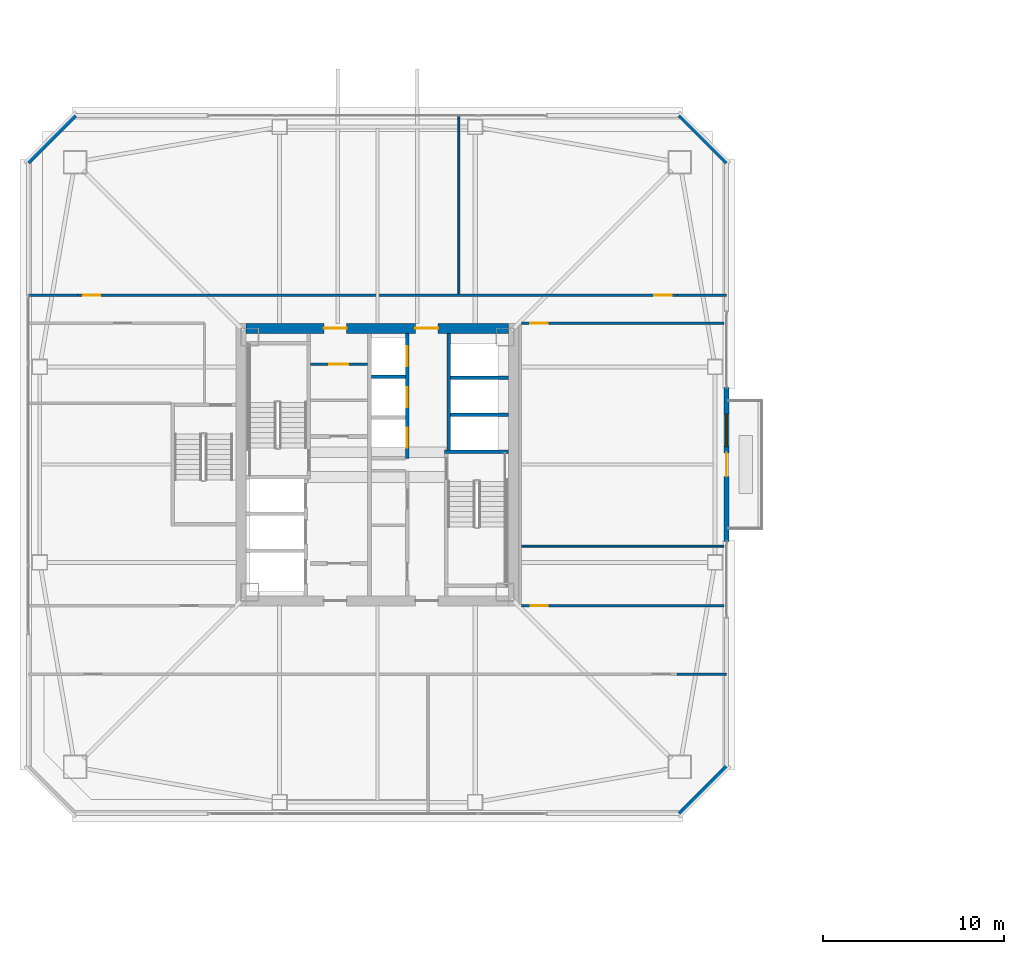
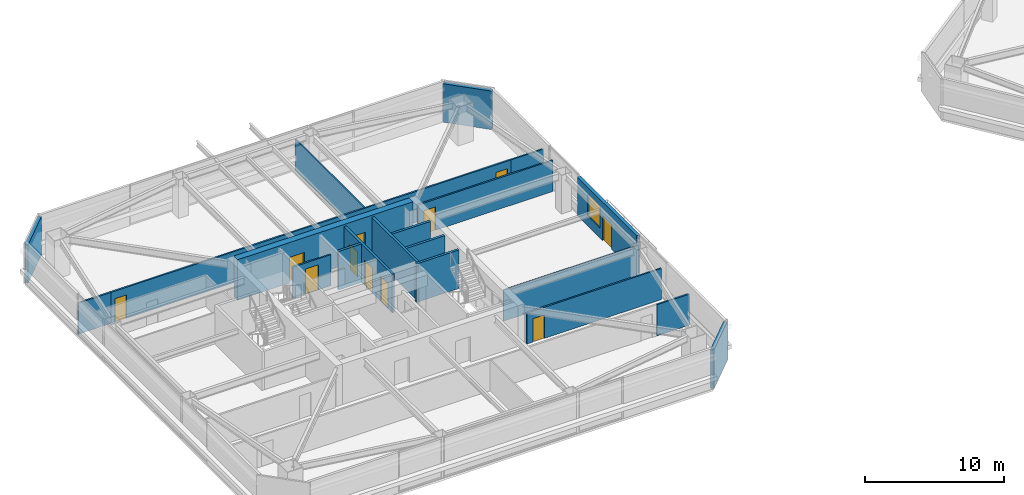
# One storey, part 31 of 40: 20 walls, 11 doors, 1 window, 12 openings.
"""IFC4 building model written with IfcOpenShell, lengths in metres."""

import ifcopenshell
import ifcopenshell.guid

model = None  # the IFC model being written
_history = None  # IfcOwnerHistory: only IFC2X3 demands one
_inside = {}  # id of a spatial element -> (the spatial element, [elements in it])
_under = {}  # id of a project, library or spatial element -> (it, [spatial elements below it])
_declared = {}  # id of a project -> (the project, [libraries it declares])
_typed = {}  # id of a type object -> (the type object, [elements of that type])
_made_of = {}  # id of a material, layer set ... -> (it, [elements and type objects made of it])


def new_model(schema):
    """Start an empty IFC model of exactly this schema.

    Asked for "IFC4X3", IfcOpenShell would pick the latest addendum, in which some entities
    have other attributes; the version numbers below select the first issue.
    IFC2X3 requires an IfcOwnerHistory on every rooted entity: one is made here for all.
    """
    global model, _history
    if schema == "IFC4X3":
        model = ifcopenshell.file(schema_version=(4, 3, 0, 0))
    else:
        model = ifcopenshell.file(schema=schema)
    _inside.clear()
    _under.clear()
    _declared.clear()
    _typed.clear()
    _made_of.clear()
    _history = None
    if model.schema == "IFC2X3":
        org = make("IfcOrganization", Name="unknown")
        user = make(
            "IfcPersonAndOrganization",
            ThePerson=make("IfcPerson", FamilyName="unknown"),
            TheOrganization=org,
        )
        app = make(
            "IfcApplication",
            ApplicationDeveloper=org,
            Version="unknown",
            ApplicationFullName="unknown",
            ApplicationIdentifier="unknown",
        )
        _history = make(
            "IfcOwnerHistory",
            OwningUser=user,
            OwningApplication=app,
            ChangeAction="ADDED",
            CreationDate=0,
        )
    return model


def make(cls, **values):
    """One entity of the class cls with the attributes given. An attribute that is None is left unset."""
    return model.create_entity(
        cls, **{name: value for name, value in values.items() if value is not None}
    )


def rooted(cls, **values):
    """An entity with a GlobalId (a new one), such as an element, a storey or a relation."""
    return make(cls, GlobalId=ifcopenshell.guid.new(), OwnerHistory=_history, **values)


def si_unit(unit_type, name, prefix=None):
    """IfcSIUnit, for example si_unit("LENGTHUNIT", "METRE", prefix="MILLI")."""
    return make("IfcSIUnit", UnitType=unit_type, Prefix=prefix, Name=name)


def assignment(units):
    """IfcUnitAssignment: the units of a project."""
    return None if units is None else make("IfcUnitAssignment", Units=units)


def point(xyz):
    """IfcCartesianPoint."""
    return None if xyz is None else make("IfcCartesianPoint", Coordinates=xyz)


def direction(xyz):
    """IfcDirection."""
    return None if xyz is None else make("IfcDirection", DirectionRatios=xyz)


def frame(location, z_axis=None, x_axis=None):
    """IfcAxis2Placement3D, a coordinate frame: its origin and axes. An axis left out is left unset."""
    return make(
        "IfcAxis2Placement3D",
        Location=point(location),
        Axis=direction(z_axis),
        RefDirection=direction(x_axis),
    )


def frame_2d(location, x_axis=None):
    """IfcAxis2Placement2D, a coordinate frame in the plane: its origin and x axis."""
    return make(
        "IfcAxis2Placement2D", Location=point(location), RefDirection=direction(x_axis)
    )


def origin():
    """The frame at (0, 0, 0) with its axes left unset."""
    return frame((0.0, 0.0, 0.0))


def place(relative_to, where):
    """IfcLocalPlacement: puts the frame where relative to a parent placement (None: the world)."""
    return make(
        "IfcLocalPlacement", PlacementRelTo=relative_to, RelativePlacement=where
    )


def context(
    kind, dimensions, precision=None, world=None, true_north=None, identifier=None
):
    """IfcGeometricRepresentationContext, for example the 3D "Model" context."""
    return make(
        "IfcGeometricRepresentationContext",
        ContextIdentifier=identifier,
        ContextType=kind,
        CoordinateSpaceDimension=dimensions,
        Precision=precision,
        WorldCoordinateSystem=world,
        TrueNorth=true_north,
    )


def subcontext(parent, identifier, kind, view, scale=None):
    """IfcGeometricRepresentationSubContext, for example "Body" below "Model"."""
    return make(
        "IfcGeometricRepresentationSubContext",
        ContextIdentifier=identifier,
        ContextType=kind,
        ParentContext=parent,
        TargetScale=scale,
        TargetView=view,
    )


def project(units=None, contexts=None):
    """IfcProject with its units and contexts."""
    return rooted(
        "IfcProject",
        Name="project",
        RepresentationContexts=contexts,
        UnitsInContext=assignment(units),
    )


def spatial(cls, under=None, at=None, **own):
    """A site, building, storey or space (cls), placed at a placement, below another one or the project."""
    s = rooted(cls, ObjectPlacement=at, **own)
    if under is not None:
        _under.setdefault(under.id(), (under, []))[1].append(s)
    return s


def profile(cls, at=None, kind="AREA", **sizes):
    """A parametric profile (cls). Its sizes go by their IFC names, for example OverallWidth=200.0."""
    return make(cls, ProfileType=kind, Position=at, **sizes)


def rectangle(**sizes):
    """IfcRectangleProfileDef."""
    return profile("IfcRectangleProfileDef", **sizes)


def extrude(swept, where, along, depth):
    """IfcExtrudedAreaSolid: the profile swept, set in the frame where, extruded along a direction by depth."""
    return make(
        "IfcExtrudedAreaSolid",
        SweptArea=swept,
        Position=where,
        ExtrudedDirection=direction(along),
        Depth=depth,
    )


def shape(context_of_items, identifier, shape_type, items):
    """IfcShapeRepresentation: the items that make up one representation, for example the "Body"."""
    return make(
        "IfcShapeRepresentation",
        ContextOfItems=context_of_items,
        RepresentationIdentifier=identifier,
        RepresentationType=shape_type,
        Items=items,
    )


def material(Name=None, Category=None):
    """IfcMaterial."""
    return make("IfcMaterial", Name=Name, Category=Category)


def layer(
    of_material, thickness, ventilated=None, Name=None, Category=None, Priority=None
):
    """IfcMaterialLayer: one layer of a wall or slab, of a material (None: an air gap)."""
    return make(
        "IfcMaterialLayer",
        Material=of_material,
        LayerThickness=thickness,
        IsVentilated=ventilated,
        Name=Name,
        Category=Category,
        Priority=Priority,
    )


def layer_set(layers, Name=None):
    """IfcMaterialLayerSet."""
    return make("IfcMaterialLayerSet", MaterialLayers=layers, LayerSetName=Name)


def made_of(thing, what):
    """Note that an element or type object is made of a material, layer set ...; save() writes the relation."""
    if what is not None:
        _made_of.setdefault(what.id(), (what, []))[1].append(thing)
    return thing


def type_object(cls, material=None, **own):
    """A type object (cls), such as IfcWallType, which elements share."""
    return made_of(rooted(cls, **own), material)


def element(
    cls,
    number,
    at=None,
    inside=None,
    cuts=None,
    type_object=None,
    material=None,
    context=None,
    identifier="Body",
    shape_type=None,
    held_by="IfcProductDefinitionShape",
    body=None,
    shapes=None,
    **own,
):
    """One element of the class cls, such as IfcWall. Its Tag is "e" and its number.

    at: its placement. inside: the storey or other place that contains it. cuts: it is an
    opening in that element (IfcRelVoidsElement). A single representation is given by context,
    identifier, shape_type and body (its items); several are given by shapes. held_by: the class
    of the entity that holds the representations. save() writes the other relations.
    """
    e = rooted(cls, Tag="e%d" % number, ObjectPlacement=at, **own)
    if body is not None:
        shapes = [shape(context, identifier, shape_type, body)]
    if shapes is not None:
        e.Representation = make(held_by, Representations=shapes)
    if inside is not None:
        _inside.setdefault(inside.id(), (inside, []))[1].append(e)
    if cuts is not None:
        rooted(
            "IfcRelVoidsElement", RelatingBuildingElement=cuts, RelatedOpeningElement=e
        )
    if type_object is not None:
        _typed.setdefault(type_object.id(), (type_object, []))[1].append(e)
    return made_of(e, material)


def fill(opening, filler):
    """IfcRelFillsElement: the door or window that sits in an opening."""
    return rooted(
        "IfcRelFillsElement",
        RelatingOpeningElement=opening,
        RelatedBuildingElement=filler,
    )


def aggregate(whole, parts):
    """IfcRelAggregates: a whole, such as a stair, and the parts it consists of."""
    return rooted("IfcRelAggregates", RelatingObject=whole, RelatedObjects=parts)


def save(model, path):
    """Write the relations noted so far, then the file.

    IfcRelAggregates (storeys below a building ...), IfcRelContainedInSpatialStructure (elements
    in a storey), IfcRelDefinesByType, IfcRelAssociatesMaterial and IfcRelDeclares: one each for
    every whole, place, type object, material and project.
    """
    for whole, parts in _under.values():
        aggregate(whole, parts)
    for where, things in _inside.values():
        rooted(
            "IfcRelContainedInSpatialStructure",
            RelatedElements=things,
            RelatingStructure=where,
        )
    for kind, things in _typed.values():
        rooted("IfcRelDefinesByType", RelatedObjects=things, RelatingType=kind)
    for what, things in _made_of.values():
        rooted("IfcRelAssociatesMaterial", RelatedObjects=things, RelatingMaterial=what)
    for by, libraries in _declared.values():
        rooted("IfcRelDeclares", RelatingContext=by, RelatedDefinitions=libraries)
    model.write(path)


model = new_model("IFC4")

# Units and contexts
model_context = context("Model", 3, precision=1e-05, world=origin(), true_north=direction((0.0, 1.0)))
body_context = subcontext(model_context, "Body", "Model", "MODEL_VIEW")
ifc_project = project(units=[si_unit("LENGTHUNIT", "METRE"), si_unit("AREAUNIT", "SQUARE_METRE"), si_unit("VOLUMEUNIT", "CUBIC_METRE"), si_unit("PLANEANGLEUNIT", "RADIAN"), si_unit("MASSUNIT", "GRAM", prefix="KILO")], contexts=[model_context])

# Site, building, storey
site_placement = place(None, origin())
site = spatial("IfcSite", under=ifc_project, at=site_placement, CompositionType="ELEMENT")
building_placement = place(site_placement, origin())
building = spatial("IfcBuilding", under=site, at=building_placement, Name="Tashvorn Skyway Center", CompositionType="ELEMENT")
storey_placement = place(building_placement, frame((0.0, 0.0, 142.800048828125)))
storey = spatial("IfcBuildingStorey", under=building, at=storey_placement, Name="L38", CompositionType="ELEMENT", Elevation=142.800048828125)

# Wall, openings, doors
ifc_material_1 = material(Name="Concrete C60/75", Category="concrete")
ifc_layer_1 = layer(ifc_material_1, 0.550048828125)
ifc_layer_set_1 = layer_set([ifc_layer_1], Name="Concrete C60/75")
wall_type_1 = type_object("IfcWallType", Name="WALL-CORE-550", PredefinedType="SHEAR", material=ifc_layer_set_1)
wall_1_placement = place(storey_placement, frame((34.75, 39.52490234375, 0.0), z_axis=(0.0, 0.0, 1.0), x_axis=(1.0, 0.0, 0.0)))
wall_1 = element("IfcWall", 1, at=wall_1_placement, inside=storey, type_object=wall_type_1, Name="Tower 1 L38 North Core Shear Wall", PredefinedType="SHEAR", context=body_context, shape_type="SweptSolid", body=[
    extrude(rectangle(XDim=14.5, YDim=0.550048828125, at=frame_2d((7.25, 0.0))), origin(), (0.0, 0.0, 1.0), 3.550048828125),
])
opening_1_placement = place(wall_1_placement, frame((4.300048828125, 0.0, 0.0)))
opening_1 = element("IfcOpeningElement", 2, at=opening_1_placement, cuts=wall_1, Name="Opening D-FFL-1250", PredefinedType="OPENING", context=body_context, shape_type="SweptSolid", body=[
    extrude(rectangle(XDim=1.25, YDim=2.25, at=frame_2d((0.625, 1.125))), frame((0.0, 0.284912109375, 0.0), z_axis=(0.0, -1.0, 0.0), x_axis=(1.0, 0.0, 0.0)), (0.0, 0.0, 1.0), 0.570068359375),
])
opening_2_placement = place(wall_1_placement, frame((9.35009765625, 0.0, 0.0)))
opening_2 = element("IfcOpeningElement", 3, at=opening_2_placement, cuts=wall_1, Name="Opening D-FFL-1250", PredefinedType="OPENING", context=body_context, shape_type="SweptSolid", body=[
    extrude(rectangle(XDim=1.25, YDim=2.25, at=frame_2d((0.625, 1.125))), frame((0.0, 0.284912109375, 0.0), z_axis=(0.0, -1.0, 0.0), x_axis=(1.0, 0.0, 0.0)), (0.0, 0.0, 1.0), 0.570068359375),
])
ifc_material_2 = material(Name="Hollow galvanized steel fire door assembly", Category="steel")
door_type_1 = type_object("IfcDoorType", Name="DOOR-FFL-1250", OperationType="NOTDEFINED", PredefinedType="DOOR", material=ifc_material_2)
door_1_placement = place(opening_1_placement, origin())
door_1 = element("IfcDoor", 4, at=door_1_placement, inside=storey, type_object=door_type_1, Name="Tower 1 L38 Core North Service Lobby Door", OperationType="SINGLE_SWING_LEFT", OverallHeight=2.25, OverallWidth=1.25, PredefinedType="DOOR", context=body_context, shape_type="SweptSolid", body=[
    extrude(rectangle(XDim=1.25, YDim=2.25, at=frame_2d((0.625, 1.125))), frame((0.0, 0.02490234375, 0.0), z_axis=(0.0, -1.0, 0.0), x_axis=(1.0, 0.0, 0.0)), (0.0, 0.0, 1.0), 0.050048828125),
])
fill(opening_1, door_1)
door_2_placement = place(opening_2_placement, origin())
door_2 = element("IfcDoor", 5, at=door_2_placement, inside=storey, type_object=door_type_1, Name="Tower 1 L38 Core North Lift Lobby Door", OperationType="SINGLE_SWING_RIGHT", OverallHeight=2.25, OverallWidth=1.25, PredefinedType="DOOR", context=body_context, shape_type="SweptSolid", body=[
    extrude(rectangle(XDim=1.25, YDim=2.25, at=frame_2d((0.625, 1.125))), frame((0.0, 0.02490234375, 0.0), z_axis=(0.0, -1.0, 0.0), x_axis=(1.0, 0.0, 0.0)), (0.0, 0.0, 1.0), 0.050048828125),
])
fill(opening_2, door_2)

# Wall, openings, door, window
ifc_material_3 = material(Name="Precast concrete C40/50", Category="concrete")
ifc_layer_2 = layer(ifc_material_3, 0.280029296875)
ifc_layer_set_2 = layer_set([ifc_layer_2], Name="Precast concrete C40/50")
wall_type_2 = type_object("IfcWallType", Name="WALL-EXT-280", PredefinedType="SOLIDWALL", material=ifc_layer_set_2)
wall_2_placement = place(storey_placement, frame((61.280029296875, 36.25, 0.0), z_axis=(0.0, 0.0, 1.0), x_axis=(0.0, -1.0, 0.0)))
wall_2 = element("IfcWall", 6, at=wall_2_placement, inside=storey, type_object=wall_type_2, Name="Tower 1 L38 East Terrace Portal Wall", PredefinedType="SOLIDWALL", context=body_context, shape_type="SweptSolid", body=[
    extrude(rectangle(XDim=8.5, YDim=0.280029296875, at=frame_2d((4.25, 0.0))), origin(), (0.0, 0.0, 1.0), 3.369873046875),
])
opening_3_placement = place(wall_2_placement, frame((3.60009765625, 0.0, 0.0)))
opening_3 = element("IfcOpeningElement", 7, at=opening_3_placement, cuts=wall_2, Name="Opening D-TER-1300", PredefinedType="OPENING", context=body_context, shape_type="SweptSolid", body=[
    extrude(rectangle(XDim=1.300048828125, YDim=2.14990234375, at=frame_2d((0.64990234375, 1.074951171875))), frame((0.0, 0.14990234375, 0.0), z_axis=(0.0, -1.0, 0.0), x_axis=(1.0, 0.0, 0.0)), (0.0, 0.0, 1.0), 0.300048828125),
])
opening_4_placement = place(wall_2_placement, frame((1.4599609375, 0.0, 0.85009765625)))
opening_4 = element("IfcOpeningElement", 8, at=opening_4_placement, cuts=wall_2, Name="Opening WIN-1800", PredefinedType="OPENING", context=body_context, shape_type="SweptSolid", body=[
    extrude(rectangle(XDim=1.800048828125, YDim=1.919921875, at=frame_2d((0.89990234375, 0.9599609375))), frame((0.0, 0.14990234375, 0.0), z_axis=(0.0, -1.0, 0.0), x_axis=(1.0, 0.0, 0.0)), (0.0, 0.0, 1.0), 0.300048828125),
])
ifc_material_4 = material(Name="Thermally broken bronze-anodized aluminium 6063-T6", Category="aluminium")
door_type_2 = type_object("IfcDoorType", Name="DOOR-TERR-1300", OperationType="NOTDEFINED", PredefinedType="DOOR", material=ifc_material_4)
door_3_placement = place(opening_3_placement, origin())
door_3 = element("IfcDoor", 9, at=door_3_placement, inside=storey, type_object=door_type_2, Name="Tower 1 L38 Terrace Access Door", OperationType="SINGLE_SWING_RIGHT", OverallHeight=2.14990234375, OverallWidth=1.300048828125, PredefinedType="DOOR", context=body_context, shape_type="SweptSolid", body=[
    extrude(rectangle(XDim=1.300048828125, YDim=2.14990234375, at=frame_2d((0.64990234375, 1.074951171875))), frame((0.0, 0.02490234375, 0.0), z_axis=(0.0, -1.0, 0.0), x_axis=(1.0, 0.0, 0.0)), (0.0, 0.0, 1.0), 0.050048828125),
])
fill(opening_3, door_3)
ifc_material_5 = material(Name="Low-E solar-control double insulating safety glass", Category="glass")
window_type = type_object("IfcWindowType", Name="WIN-TERR-1800", PartitioningType="SINGLE_PANEL", PredefinedType="WINDOW", material=ifc_material_5)
window_placement = place(opening_4_placement, origin())
window = element("IfcWindow", 10, at=window_placement, inside=storey, type_object=window_type, Name="Tower 1 L38 Terrace Window", OverallHeight=1.919921875, OverallWidth=1.800048828125, PartitioningType="SINGLE_PANEL", PredefinedType="WINDOW", context=body_context, shape_type="SweptSolid", body=[
    extrude(rectangle(XDim=1.800048828125, YDim=1.919921875, at=frame_2d((0.89990234375, 0.9599609375))), frame((0.0, 0.030029296875, 0.0), z_axis=(0.0, -1.0, 0.0), x_axis=(1.0, 0.0, 0.0)), (0.0, 0.0, 1.0), 0.06005859375),
])
fill(opening_4, window)

# Walls
for number, where, z_axis, x_axis, name in (
    (11, (22.699951171875, 48.699951171875, 0.0), (0.0, 0.0, 1.0), (0.707106781187, 0.707106781187, 0.0), "Tower 1 L38 NW Precast Chamfer Wall"),
    (12, (58.699951171875, 51.300048828125, 0.0), (0.0, 0.0, 1.0), (0.707106781187, -0.707106781187, 0.0), "Tower 1 L38 NE Precast Chamfer Wall"),
    (13, (61.300048828125, 15.300048828125, 0.0), (0.0, 0.0, 1.0), (-0.707106781187, -0.707106781187, 0.0), "Tower 1 L38 SE Precast Chamfer Wall"),
):
    element("IfcWall", number, at=place(storey_placement, frame(where, z_axis=z_axis, x_axis=x_axis)), inside=storey, type_object=wall_type_2, Name=name, PredefinedType="SOLIDWALL", context=body_context, shape_type="SweptSolid", body=[
        extrude(rectangle(XDim=3.677001953125, YDim=0.280029296875, at=frame_2d((1.83837890625, 0.0))), origin(), (0.0, 0.0, 1.0), 3.369873046875),
    ])
ifc_material_6 = material(Name="Gypsum board on cold-formed steel stud framing", Category="steel")
ifc_layer_3 = layer(ifc_material_6, 0.110107421875)
ifc_layer_set_3 = layer_set([ifc_layer_3], Name="Gypsum board on cold-formed steel stud framing")
wall_type_3 = type_object("IfcWallType", Name="WALL-PART-110", PredefinedType="PARTITIONING", material=ifc_layer_set_3)
wall_3_placement = place(storey_placement, frame((46.5, 41.429931640625, 0.0), z_axis=(0.0, 0.0, 1.0), x_axis=(0.0, 1.0, 0.0)))
element("IfcWall", 14, at=wall_3_placement, inside=storey, type_object=wall_type_3, Name="Tower 1 L38 North Suite Partition 1", PredefinedType="PARTITIONING", context=body_context, shape_type="SweptSolid", body=[
    extrude(rectangle(XDim=9.85009765625, YDim=0.110107421875, at=frame_2d((4.925048828125, 0.0))), origin(), (0.0, 0.0, 1.0), 2.722900390625),
])
wall_4_placement = place(storey_placement, frame((49.9599609375, 27.5, 0.0), z_axis=(0.0, 0.0, 1.0), x_axis=(1.0, 0.0, 0.0)))
element("IfcWall", 15, at=wall_4_placement, inside=storey, type_object=wall_type_3, Name="Tower 1 L38 East Mid Partition", PredefinedType="PARTITIONING", context=body_context, shape_type="SweptSolid", body=[
    extrude(rectangle(XDim=11.169921875, YDim=0.110107421875, at=frame_2d((5.5849609375, 0.0))), origin(), (0.0, 0.0, 1.0), 2.722900390625),
])

# Wall, openings, doors
ifc_layer_4 = layer(ifc_material_6, 0.135009765625)
ifc_layer_set_4 = layer_set([ifc_layer_4], Name="Gypsum board on cold-formed steel stud framing")
wall_type_4 = type_object("IfcWallType", Name="WALL-PART-135", PredefinedType="PARTITIONING", material=ifc_layer_set_4)
wall_5_placement = place(storey_placement, frame((25.449951171875, 41.35009765625, 0.0), z_axis=(0.0, 0.0, 1.0), x_axis=(1.0, 0.0, 0.0)))
wall_5 = element("IfcWall", 16, at=wall_5_placement, inside=storey, type_object=wall_type_4, Name="Tower 1 L38 North Suite Wall", PredefinedType="PARTITIONING", context=body_context, shape_type="SweptSolid", body=[
    extrude(rectangle(XDim=33.10009765625, YDim=0.135009765625, at=frame_2d((16.550048828125, 0.0))), origin(), (0.0, 0.0, 1.0), 2.722900390625),
])
opening_5_placement = place(wall_5_placement, frame((0.300048828125, 0.0, 0.0)))
opening_5 = element("IfcOpeningElement", 17, at=opening_5_placement, cuts=wall_5, Name="Opening D-INT-950", PredefinedType="OPENING", context=body_context, shape_type="SweptSolid", body=[
    extrude(rectangle(XDim=0.949951171875, YDim=2.050048828125, at=frame_2d((0.47509765625, 1.02490234375))), frame((0.0, 0.077392578125, 0.0), z_axis=(0.0, -1.0, 0.0), x_axis=(1.0, 0.0, 0.0)), (0.0, 0.0, 1.0), 0.155029296875),
])
opening_6_placement = place(wall_5_placement, frame((31.85009765625, 0.0, 0.0)))
opening_6 = element("IfcOpeningElement", 18, at=opening_6_placement, cuts=wall_5, Name="Opening D-INT-950", PredefinedType="OPENING", context=body_context, shape_type="SweptSolid", body=[
    extrude(rectangle(XDim=0.949951171875, YDim=2.050048828125, at=frame_2d((0.47509765625, 1.02490234375))), frame((0.0, 0.077392578125, 0.0), z_axis=(0.0, -1.0, 0.0), x_axis=(1.0, 0.0, 0.0)), (0.0, 0.0, 1.0), 0.155029296875),
])
ifc_material_7 = material(Name="Solid-core architectural oak veneer door")
door_type_3 = type_object("IfcDoorType", Name="DOOR-INT-950", OperationType="NOTDEFINED", PredefinedType="DOOR", material=ifc_material_7)
door_4_placement = place(opening_5_placement, origin())
door_4 = element("IfcDoor", 19, at=door_4_placement, inside=storey, type_object=door_type_3, Name="Tower 1 L38 Wellness Clinic Door", OperationType="SINGLE_SWING_LEFT", OverallHeight=2.050048828125, OverallWidth=0.949951171875, PredefinedType="DOOR", context=body_context, shape_type="SweptSolid", body=[
    extrude(rectangle(XDim=0.949951171875, YDim=2.050048828125, at=frame_2d((0.47509765625, 1.02490234375))), frame((0.0, 0.02490234375, 0.0), z_axis=(0.0, -1.0, 0.0), x_axis=(1.0, 0.0, 0.0)), (0.0, 0.0, 1.0), 0.050048828125),
])
fill(opening_5, door_4)
door_5_placement = place(opening_6_placement, origin())
door_5 = element("IfcDoor", 20, at=door_5_placement, inside=storey, type_object=door_type_3, Name="Tower 1 L38 Wellness Clinic Door", OperationType="SINGLE_SWING_RIGHT", OverallHeight=2.050048828125, OverallWidth=0.949951171875, PredefinedType="DOOR", context=body_context, shape_type="SweptSolid", body=[
    extrude(rectangle(XDim=0.949951171875, YDim=2.050048828125, at=frame_2d((0.47509765625, 1.02490234375))), frame((0.0, 0.02490234375, 0.0), z_axis=(0.0, -1.0, 0.0), x_axis=(1.0, 0.0, 0.0)), (0.0, 0.0, 1.0), 0.050048828125),
])
fill(opening_6, door_5)

# Walls
for number, where, z_axis, x_axis, name in (
    (21, (22.719970703125, 41.35009765625, 0.0), (0.0, 0.0, 1.0), (1.0, 0.0, 0.0), "Tower 1 L38 North-West Suite South Wall"),
    (22, (58.550048828125, 41.35009765625, 0.0), (0.0, 0.0, 1.0), (1.0, 0.0, 0.0), "Tower 1 L38 North-East Suite South Wall"),
    (23, (58.550048828125, 20.429931640625, 0.0), (0.0, 0.0, 1.0), (1.0, 0.0, 0.0), "Tower 1 L38 South-East Suite North Wall"),
):
    element("IfcWall", number, at=place(storey_placement, frame(where, z_axis=z_axis, x_axis=x_axis)), inside=storey, type_object=wall_type_4, Name=name, PredefinedType="PARTITIONING", context=body_context, shape_type="SweptSolid", body=[
        extrude(rectangle(XDim=2.72998046875, YDim=0.135009765625, at=frame_2d((1.364990234375, 0.0))), origin(), (0.0, 0.0, 1.0), 2.722900390625),
    ])

# Wall, opening, door
wall_6_placement = place(storey_placement, frame((61.1298828125, 39.800048828125, 0.0), z_axis=(0.0, 0.0, 1.0), x_axis=(-1.0, 0.0, 0.0)))
wall_6 = element("IfcWall", 24, at=wall_6_placement, inside=storey, type_object=wall_type_4, Name="Tower 1 L38 East Suite North Wall", PredefinedType="PARTITIONING", context=body_context, shape_type="SweptSolid", body=[
    extrude(rectangle(XDim=11.169921875, YDim=0.135009765625, at=frame_2d((5.5849609375, 0.0))), origin(), (0.0, 0.0, 1.0), 2.722900390625),
])
opening_7_placement = place(wall_6_placement, frame((9.72998046875, 0.0, 0.0)))
opening_7 = element("IfcOpeningElement", 25, at=opening_7_placement, cuts=wall_6, Name="Opening D-INT-950", PredefinedType="OPENING", context=body_context, shape_type="SweptSolid", body=[
    extrude(rectangle(XDim=0.949951171875, YDim=2.050048828125, at=frame_2d((0.47509765625, 1.02490234375))), frame((0.0, 0.077392578125, 0.0), z_axis=(0.0, -1.0, 0.0), x_axis=(1.0, 0.0, 0.0)), (0.0, 0.0, 1.0), 0.155029296875),
])
door_6_placement = place(opening_7_placement, origin())
door_6 = element("IfcDoor", 26, at=door_6_placement, inside=storey, type_object=door_type_3, Name="Tower 1 L38 Operations Control Room Door", OperationType="SINGLE_SWING_LEFT", OverallHeight=2.050048828125, OverallWidth=0.949951171875, PredefinedType="DOOR", context=body_context, shape_type="SweptSolid", body=[
    extrude(rectangle(XDim=0.949951171875, YDim=2.050048828125, at=frame_2d((0.47509765625, 1.02490234375))), frame((0.0, 0.02490234375, 0.0), z_axis=(0.0, -1.0, 0.0), x_axis=(1.0, 0.0, 0.0)), (0.0, 0.0, 1.0), 0.050048828125),
])
fill(opening_7, door_6)

wall_7_placement = place(storey_placement, frame((49.9599609375, 24.199951171875, 0.0), z_axis=(0.0, 0.0, 1.0), x_axis=(1.0, 0.0, 0.0)))
wall_7 = element("IfcWall", 27, at=wall_7_placement, inside=storey, type_object=wall_type_4, Name="Tower 1 L38 East Suite South Wall", PredefinedType="PARTITIONING", context=body_context, shape_type="SweptSolid", body=[
    extrude(rectangle(XDim=11.169921875, YDim=0.135009765625, at=frame_2d((5.5849609375, 0.0))), origin(), (0.0, 0.0, 1.0), 2.722900390625),
])
opening_8_placement = place(wall_7_placement, frame((0.5, 0.0, 0.0)))
opening_8 = element("IfcOpeningElement", 28, at=opening_8_placement, cuts=wall_7, Name="Opening D-INT-950", PredefinedType="OPENING", context=body_context, shape_type="SweptSolid", body=[
    extrude(rectangle(XDim=0.949951171875, YDim=2.050048828125, at=frame_2d((0.47509765625, 1.02490234375))), frame((0.0, 0.077392578125, 0.0), z_axis=(0.0, -1.0, 0.0), x_axis=(1.0, 0.0, 0.0)), (0.0, 0.0, 1.0), 0.155029296875),
])
door_7_placement = place(opening_8_placement, origin())
door_7 = element("IfcDoor", 29, at=door_7_placement, inside=storey, type_object=door_type_3, Name="Tower 1 L38 Public Restroom Door", OperationType="SINGLE_SWING_RIGHT", OverallHeight=2.050048828125, OverallWidth=0.949951171875, PredefinedType="DOOR", context=body_context, shape_type="SweptSolid", body=[
    extrude(rectangle(XDim=0.949951171875, YDim=2.050048828125, at=frame_2d((0.47509765625, 1.02490234375))), frame((0.0, 0.02490234375, 0.0), z_axis=(0.0, -1.0, 0.0), x_axis=(1.0, 0.0, 0.0)), (0.0, 0.0, 1.0), 0.050048828125),
])
fill(opening_8, door_7)

ifc_layer_5 = layer(ifc_material_6, 0.135009765625)
ifc_layer_set_5 = layer_set([ifc_layer_5], Name="Gypsum board on cold-formed steel stud framing")
wall_type_5 = type_object("IfcWallType", Name="WALL-RATED-135", PredefinedType="PARTITIONING", material=ifc_layer_set_5)
wall_8_placement = place(storey_placement, frame((38.300048828125, 37.550048828125, 0.0), z_axis=(0.0, 0.0, 1.0), x_axis=(1.0, 0.0, 0.0)))
wall_8 = element("IfcWall", 30, at=wall_8_placement, inside=storey, type_object=wall_type_5, Name="Tower 1 L38 Core Service Lobby Wall", PredefinedType="PARTITIONING", context=body_context, shape_type="SweptSolid", body=[
    extrude(rectangle(XDim=3.14990234375, YDim=0.135009765625, at=frame_2d((1.574951171875, 0.0))), origin(), (0.0, 0.0, 1.0), 2.722900390625),
])
opening_9_placement = place(wall_8_placement, frame((1.050048828125, 0.0, 0.0)))
opening_9 = element("IfcOpeningElement", 31, at=opening_9_placement, cuts=wall_8, Name="Opening D-RT-1050", PredefinedType="OPENING", context=body_context, shape_type="SweptSolid", body=[
    extrude(rectangle(XDim=1.050048828125, YDim=2.199951171875, at=frame_2d((0.52490234375, 1.10009765625))), frame((0.0, 0.077392578125, 0.0), z_axis=(0.0, -1.0, 0.0), x_axis=(1.0, 0.0, 0.0)), (0.0, 0.0, 1.0), 0.155029296875),
])
door_type_4 = type_object("IfcDoorType", Name="DOOR-RATED-1050", OperationType="NOTDEFINED", PredefinedType="DOOR", material=ifc_material_2)
door_8_placement = place(opening_9_placement, origin())
door_8 = element("IfcDoor", 32, at=door_8_placement, inside=storey, type_object=door_type_4, Name="Tower 1 L38 Core Accessible WC Door", OperationType="SINGLE_SWING_RIGHT", OverallHeight=2.199951171875, OverallWidth=1.050048828125, PredefinedType="DOOR", context=body_context, shape_type="SweptSolid", body=[
    extrude(rectangle(XDim=1.050048828125, YDim=2.199951171875, at=frame_2d((0.52490234375, 1.10009765625))), frame((0.0, 0.02490234375, 0.0), z_axis=(0.0, -1.0, 0.0), x_axis=(1.0, 0.0, 0.0)), (0.0, 0.0, 1.0), 0.050048828125),
])
fill(opening_9, door_8)

# Walls
ifc_material_8 = material(Name="Concrete C40/50", Category="concrete")
ifc_layer_6 = layer(ifc_material_8, 0.199951171875)
ifc_layer_set_6 = layer_set([ifc_layer_6], Name="Concrete C40/50")
wall_type_6 = type_object("IfcWallType", Name="WALL-SHAFT-200", PredefinedType="SOLIDWALL", material=ifc_layer_set_6)
for number, where, z_axis, x_axis, name in (
    (33, (46.050048828125, 34.75, 0.0), (0.0, 0.0, 1.0), (1.0, 0.0, 0.0), "Tower 1 L38 High-Rise Shaft Divider"),
    (34, (46.050048828125, 36.800048828125, 0.0), (0.0, 0.0, 1.0), (1.0, 0.0, 0.0), "Tower 1 L38 High-Rise Shaft Divider"),
):
    element("IfcWall", number, at=place(storey_placement, frame(where, z_axis=z_axis, x_axis=x_axis)), inside=storey, type_object=wall_type_6, Name=name, PredefinedType="SOLIDWALL", context=body_context, shape_type="SweptSolid", body=[
        extrude(rectangle(XDim=3.199951171875, YDim=0.199951171875, at=frame_2d((1.60009765625, 0.0))), origin(), (0.0, 0.0, 1.0), 3.369873046875),
    ])

# Wall, openings, doors
wall_9_placement = place(storey_placement, frame((43.64990234375, 32.35009765625, 0.0), z_axis=(0.0, 0.0, 1.0), x_axis=(0.0, 1.0, 0.0)))
wall_9 = element("IfcWall", 35, at=wall_9_placement, inside=storey, type_object=wall_type_6, Name="Tower 1 L38 Mid-Rise Core Wall", PredefinedType="SOLIDWALL", context=body_context, shape_type="SweptSolid", body=[
    extrude(rectangle(XDim=6.89990234375, YDim=0.199951171875, at=frame_2d((3.449951171875, 0.0))), origin(), (0.0, 0.0, 1.0), 3.369873046875),
])
opening_10_placement = place(wall_9_placement, frame((0.574951171875, 0.0, 0.0)))
opening_10 = element("IfcOpeningElement", 36, at=opening_10_placement, cuts=wall_9, Name="Opening LD-MR-T1-1-L38", PredefinedType="OPENING", context=body_context, shape_type="SweptSolid", body=[
    extrude(rectangle(XDim=1.10009765625, YDim=2.199951171875, at=frame_2d((0.550048828125, 1.10009765625))), frame((0.0, 0.10986328125, 0.0), z_axis=(0.0, -1.0, 0.0), x_axis=(1.0, 0.0, 0.0)), (0.0, 0.0, 1.0), 0.219970703125),
])
opening_11_placement = place(wall_9_placement, frame((2.824951171875, 0.0, 0.0)))
opening_11 = element("IfcOpeningElement", 37, at=opening_11_placement, cuts=wall_9, Name="Opening LD-MR-T1-2-L38", PredefinedType="OPENING", context=body_context, shape_type="SweptSolid", body=[
    extrude(rectangle(XDim=1.10009765625, YDim=2.199951171875, at=frame_2d((0.550048828125, 1.10009765625))), frame((0.0, 0.10986328125, 0.0), z_axis=(0.0, -1.0, 0.0), x_axis=(1.0, 0.0, 0.0)), (0.0, 0.0, 1.0), 0.219970703125),
])
opening_12_placement = place(wall_9_placement, frame((5.074951171875, 0.0, 0.0)))
opening_12 = element("IfcOpeningElement", 38, at=opening_12_placement, cuts=wall_9, Name="Opening LD-MR-T1-3-L38", PredefinedType="OPENING", context=body_context, shape_type="SweptSolid", body=[
    extrude(rectangle(XDim=1.10009765625, YDim=2.199951171875, at=frame_2d((0.550048828125, 1.10009765625))), frame((0.0, 0.10986328125, 0.0), z_axis=(0.0, -1.0, 0.0), x_axis=(1.0, 0.0, 0.0)), (0.0, 0.0, 1.0), 0.219970703125),
])
ifc_material_9 = material(Name="Stainless steel landing door", Category="steel")
door_type_5 = type_object("IfcDoorType", Name="DOOR-LIFT-1100", OperationType="SLIDING_TO_LEFT", PredefinedType="DOOR", material=ifc_material_9)
door_9_placement = place(opening_10_placement, origin())
door_9 = element("IfcDoor", 39, at=door_9_placement, inside=storey, type_object=door_type_5, Name="Lift MR-T1-1 L38 Landing Door", OperationType="SLIDING_TO_LEFT", OverallHeight=2.199951171875, OverallWidth=1.10009765625, PredefinedType="DOOR", context=body_context, shape_type="SweptSolid", body=[
    extrude(rectangle(XDim=1.10009765625, YDim=2.199951171875, at=frame_2d((0.550048828125, 1.10009765625))), frame((0.0, 0.02490234375, 0.0), z_axis=(0.0, -1.0, 0.0), x_axis=(1.0, 0.0, 0.0)), (0.0, 0.0, 1.0), 0.050048828125),
])
fill(opening_10, door_9)
door_10_placement = place(opening_11_placement, origin())
door_10 = element("IfcDoor", 40, at=door_10_placement, inside=storey, type_object=door_type_5, Name="Lift MR-T1-2 L38 Landing Door", OperationType="SLIDING_TO_LEFT", OverallHeight=2.199951171875, OverallWidth=1.10009765625, PredefinedType="DOOR", context=body_context, shape_type="SweptSolid", body=[
    extrude(rectangle(XDim=1.10009765625, YDim=2.199951171875, at=frame_2d((0.550048828125, 1.10009765625))), frame((0.0, 0.02490234375, 0.0), z_axis=(0.0, -1.0, 0.0), x_axis=(1.0, 0.0, 0.0)), (0.0, 0.0, 1.0), 0.050048828125),
])
fill(opening_11, door_10)
door_11_placement = place(opening_12_placement, origin())
door_11 = element("IfcDoor", 41, at=door_11_placement, inside=storey, type_object=door_type_5, Name="Lift MR-T1-3 L38 Landing Door", OperationType="SLIDING_TO_LEFT", OverallHeight=2.199951171875, OverallWidth=1.10009765625, PredefinedType="DOOR", context=body_context, shape_type="SweptSolid", body=[
    extrude(rectangle(XDim=1.10009765625, YDim=2.199951171875, at=frame_2d((0.550048828125, 1.10009765625))), frame((0.0, 0.02490234375, 0.0), z_axis=(0.0, -1.0, 0.0), x_axis=(1.0, 0.0, 0.0)), (0.0, 0.0, 1.0), 0.050048828125),
])
fill(opening_12, door_11)

# Walls
wall_10_placement = place(storey_placement, frame((41.669921875, 36.85009765625, 0.0), z_axis=(0.0, 0.0, 1.0), x_axis=(1.0, 0.0, 0.0)))
element("IfcWall", 42, at=wall_10_placement, inside=storey, type_object=wall_type_6, Name="Tower 1 L38 Mid-Rise Shaft Divider", PredefinedType="SOLIDWALL", context=body_context, shape_type="SweptSolid", body=[
    extrude(rectangle(XDim=1.880126953125, YDim=0.199951171875, at=frame_2d((0.93994140625, 0.0))), origin(), (0.0, 0.0, 1.0), 3.369873046875),
])
ifc_layer_7 = layer(ifc_material_8, 0.199951171875)
ifc_layer_set_7 = layer_set([ifc_layer_7], Name="Concrete C40/50")
wall_type_7 = type_object("IfcWallType", Name="WALL-STSHF-200", PredefinedType="SHEAR", material=ifc_layer_set_7)
wall_11_placement = place(storey_placement, frame((45.699951171875, 32.699951171875, 0.0), z_axis=(0.0, 0.0, 1.0), x_axis=(1.0, 0.0, 0.0)))
element("IfcWall", 43, at=wall_11_placement, inside=storey, type_object=wall_type_7, Name="Tower 1 L38 Stair 2 North Wall", PredefinedType="SHEAR", context=body_context, shape_type="SweptSolid", body=[
    extrude(rectangle(XDim=3.550048828125, YDim=0.199951171875, at=frame_2d((1.77490234375, 0.0))), origin(), (0.0, 0.0, 1.0), 3.369873046875),
])
wall_12_placement = place(storey_placement, frame((45.949951171875, 39.25, 0.0), z_axis=(0.0, 0.0, 1.0), x_axis=(0.0, -1.0, 0.0)))
element("IfcWall", 44, at=wall_12_placement, inside=storey, type_object=wall_type_7, Name="Tower 1 L38 High-Rise Lift Shaft Front Wall", PredefinedType="SHEAR", context=body_context, shape_type="SweptSolid", body=[
    extrude(rectangle(XDim=6.449951171875, YDim=0.199951171875, at=frame_2d((3.22509765625, 0.0))), origin(), (0.0, 0.0, 1.0), 3.369873046875),
])

save(model, "model.ifc")
